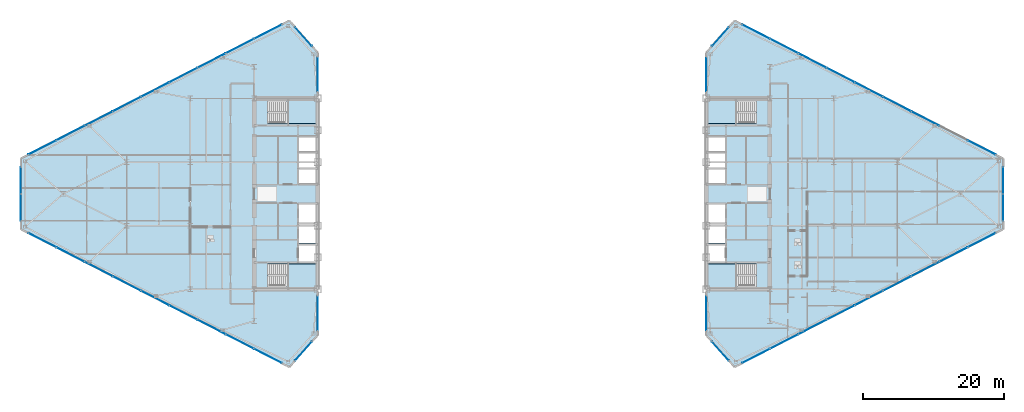
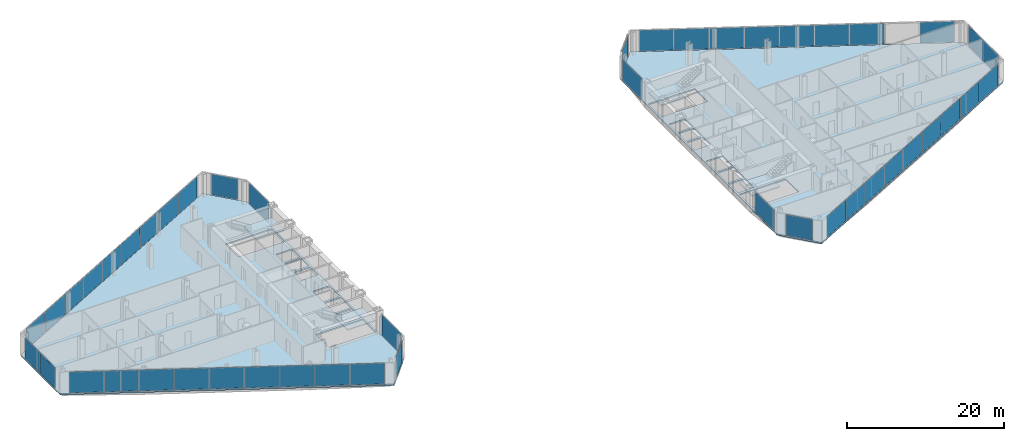
# One storey, part 14 of 23: 47 plates, 6 slabs, 18 elements without a shape of their own.
"""IFC4 building model written with IfcOpenShell, lengths in metres."""

from ifc_helpers import new_model, si_unit, direction, frame, origin, origin_2d, place, context, subcontext, project, spatial, polyline, rectangle, outline, extrude, source, transform, mapped, material, layer, layer_set, type_object, type_shapes, element, aggregate, save


model = new_model("IFC4")

# Units and contexts
model_context = context("Model", 3, precision=1e-05, world=origin(), true_north=direction((0.0, 1.0)))
body_context = subcontext(model_context, "Body", "Model", "MODEL_VIEW")
ifc_project = project(units=[si_unit("LENGTHUNIT", "METRE"), si_unit("AREAUNIT", "SQUARE_METRE"), si_unit("VOLUMEUNIT", "CUBIC_METRE"), si_unit("PLANEANGLEUNIT", "RADIAN"), si_unit("MASSUNIT", "GRAM", prefix="KILO")], contexts=[model_context])

# Site, building, storey
site_placement = place(None, origin())
site = spatial("IfcSite", under=ifc_project, at=site_placement, CompositionType="ELEMENT")
building_placement = place(site_placement, origin())
building = spatial("IfcBuilding", under=site, at=building_placement, Name="Seokmaru Belvedere", CompositionType="ELEMENT")
storey_placement = place(building_placement, frame((0.0, 0.0, 128.39990234375)))
storey = spatial("IfcBuildingStorey", under=building, at=storey_placement, Name="L34", CompositionType="ELEMENT", Elevation=128.39990234375)

# Stair, slab
ifc_material_1 = material(Name="Concrete C40 (40 MPa)", Category="concrete")
stair_type = type_object("IfcStairType", Name="Typical Tower Core Dog-Leg Stair 3600", PredefinedType="TWO_STRAIGHT_RUN_STAIR", material=ifc_material_1)
stair_1_placement = place(storey_placement, origin())
stair_1 = element("IfcStair", 1, at=stair_1_placement, inside=storey, type_object=stair_type, Name="L34 Special Escape Stair ST-W1", PredefinedType="TWO_STRAIGHT_RUN_STAIR")
ifc_layer_1 = layer(ifc_material_1, 0.199951171875)
ifc_layer_set_1 = layer_set([ifc_layer_1], Name="Concrete C40 (40 MPa)")
slab_type_1 = type_object("IfcSlabType", Name="Reinforced Concrete Stair Landing Slab 200", PredefinedType="LANDING", material=ifc_layer_set_1)
slab_1_placement = place(storey_placement, frame((0.0, 0.0, 1.60009765625)))
slab_1 = element("IfcSlab", 2, at=slab_1_placement, type_object=slab_type_1, Name="ST-W1 landing 1", PredefinedType="LANDING", context=body_context, shape_type="SweptSolid", body=[
    extrude(outline(polyline([(-31.8798828125, -13.239990234375), (-27.760009765625, -13.239990234375), (-27.760009765625, -9.949951171875), (-31.8798828125, -9.949951171875), (-31.8798828125, -13.239990234375)])), origin(), (0.0, 0.0, 1.0), 0.199951171875),
])
aggregate(stair_1, [slab_1])

stair_2_placement = place(storey_placement, origin())
stair_2 = element("IfcStair", 3, at=stair_2_placement, inside=storey, type_object=stair_type, Name="L34 Special Escape Stair ST-W2", PredefinedType="TWO_STRAIGHT_RUN_STAIR")
slab_2_placement = place(storey_placement, frame((0.0, 0.0, 1.60009765625)))
slab_2 = element("IfcSlab", 4, at=slab_2_placement, type_object=slab_type_1, Name="ST-W2 landing 1", PredefinedType="LANDING", context=body_context, shape_type="SweptSolid", body=[
    extrude(outline(polyline([(-31.8798828125, 9.949951171875), (-27.760009765625, 9.949951171875), (-27.760009765625, 13.239990234375), (-31.8798828125, 13.239990234375), (-31.8798828125, 9.949951171875)])), origin(), (0.0, 0.0, 1.0), 0.199951171875),
])
aggregate(stair_2, [slab_2])

stair_3_placement = place(storey_placement, origin())
stair_3 = element("IfcStair", 5, at=stair_3_placement, inside=storey, type_object=stair_type, Name="L34 Special Escape Stair ST-E1", PredefinedType="TWO_STRAIGHT_RUN_STAIR")
slab_3_placement = place(storey_placement, frame((0.0, 0.0, 1.60009765625)))
slab_3 = element("IfcSlab", 6, at=slab_3_placement, type_object=slab_type_1, Name="ST-E1 landing 1", PredefinedType="LANDING", context=body_context, shape_type="SweptSolid", body=[
    extrude(outline(polyline([(27.760009765625, -13.239990234375), (31.8798828125, -13.239990234375), (31.8798828125, -9.949951171875), (27.760009765625, -9.949951171875), (27.760009765625, -13.239990234375)])), origin(), (0.0, 0.0, 1.0), 0.199951171875),
])
aggregate(stair_3, [slab_3])

stair_4_placement = place(storey_placement, origin())
stair_4 = element("IfcStair", 7, at=stair_4_placement, inside=storey, type_object=stair_type, Name="L34 Special Escape Stair ST-E2", PredefinedType="TWO_STRAIGHT_RUN_STAIR")
slab_4_placement = place(storey_placement, frame((0.0, 0.0, 1.60009765625)))
slab_4 = element("IfcSlab", 8, at=slab_4_placement, type_object=slab_type_1, Name="ST-E2 landing 1", PredefinedType="LANDING", context=body_context, shape_type="SweptSolid", body=[
    extrude(outline(polyline([(27.760009765625, 9.949951171875), (31.8798828125, 9.949951171875), (31.8798828125, 13.239990234375), (27.760009765625, 13.239990234375), (27.760009765625, 9.949951171875)])), origin(), (0.0, 0.0, 1.0), 0.199951171875),
])
aggregate(stair_4, [slab_4])

# Slabs
ifc_layer_2 = layer(ifc_material_1, 0.219970703125)
ifc_layer_set_2 = layer_set([ifc_layer_2], Name="Concrete C40 (40 MPa)")
slab_type_2 = type_object("IfcSlabType", Name="Typical Tower Composite Floor Slab 220", PredefinedType="FLOOR", material=ifc_layer_set_2)
slab_5_placement = place(storey_placement, frame((0.0, 0.0, -0.219970703125)))
element("IfcSlab", 9, at=slab_5_placement, inside=storey, type_object=slab_type_2, Name="L34 West Leg Floor Slab", PredefinedType="FLOOR", context=body_context, shape_type="SweptSolid", body=[
    extrude(outline(polyline([(-27.5, -20.0), (-27.5, 20.0), (-31.5, 24.5), (-69.5, 5.0), (-69.5, -5.0), (-31.5, -24.5), (-27.5, -20.0)]), holes=[polyline([(-34.60009765625, -13.25), (-27.75, -13.25), (-27.75, -9.949951171875), (-34.60009765625, -9.949951171875), (-34.60009765625, -13.25)]), polyline([(-34.60009765625, 9.949951171875), (-27.75, 9.949951171875), (-27.75, 13.25), (-34.60009765625, 13.25), (-34.60009765625, 9.949951171875)]), polyline([(-30.14990234375, -9.550048828125), (-27.75, -9.550048828125), (-27.75, -7.25), (-30.14990234375, -7.25), (-30.14990234375, -9.550048828125)]), polyline([(-30.14990234375, -6.949951171875), (-27.75, -6.949951171875), (-27.75, -4.35009765625), (-30.14990234375, -4.35009765625), (-30.14990234375, -6.949951171875)]), polyline([(-30.14990234375, -4.050048828125), (-27.75, -4.050048828125), (-27.75, -1.449951171875), (-30.14990234375, -1.449951171875), (-30.14990234375, -4.050048828125)]), polyline([(-30.14990234375, 1.449951171875), (-27.75, 1.449951171875), (-27.75, 3.449951171875), (-30.14990234375, 3.449951171875), (-30.14990234375, 1.449951171875)]), polyline([(-30.14990234375, 3.75), (-27.75, 3.75), (-27.75, 5.75), (-30.14990234375, 5.75), (-30.14990234375, 3.75)]), polyline([(-30.14990234375, 6.050048828125), (-27.75, 6.050048828125), (-27.75, 8.050048828125), (-30.14990234375, 8.050048828125), (-30.14990234375, 6.050048828125)])]), origin(), (0.0, 0.0, 1.0), 0.219970703125),
])
slab_6_placement = place(storey_placement, frame((0.0, 0.0, -0.219970703125)))
element("IfcSlab", 10, at=slab_6_placement, inside=storey, type_object=slab_type_2, Name="L34 East Leg Floor Slab", PredefinedType="FLOOR", context=body_context, shape_type="SweptSolid", body=[
    extrude(outline(polyline([(31.5, -24.5), (69.5, -5.0), (69.5, 5.0), (31.5, 24.5), (27.5, 20.0), (27.5, -20.0), (31.5, -24.5)]), holes=[polyline([(27.75, -13.25), (34.60009765625, -13.25), (34.60009765625, -9.949951171875), (27.75, -9.949951171875), (27.75, -13.25)]), polyline([(27.75, 9.949951171875), (34.60009765625, 9.949951171875), (34.60009765625, 13.25), (27.75, 13.25), (27.75, 9.949951171875)]), polyline([(27.75, -9.550048828125), (30.14990234375, -9.550048828125), (30.14990234375, -7.25), (27.75, -7.25), (27.75, -9.550048828125)]), polyline([(27.75, -6.949951171875), (30.14990234375, -6.949951171875), (30.14990234375, -4.35009765625), (27.75, -4.35009765625), (27.75, -6.949951171875)]), polyline([(27.75, -4.050048828125), (30.14990234375, -4.050048828125), (30.14990234375, -1.449951171875), (27.75, -1.449951171875), (27.75, -4.050048828125)]), polyline([(27.75, 1.449951171875), (30.14990234375, 1.449951171875), (30.14990234375, 3.449951171875), (27.75, 3.449951171875), (27.75, 1.449951171875)]), polyline([(27.75, 3.75), (30.14990234375, 3.75), (30.14990234375, 5.75), (27.75, 5.75), (27.75, 3.75)]), polyline([(27.75, 6.050048828125), (30.14990234375, 6.050048828125), (30.14990234375, 8.050048828125), (27.75, 8.050048828125), (27.75, 6.050048828125)])]), origin(), (0.0, 0.0, 1.0), 0.219970703125),
])

# Curtain wall, plate
ifc_material_2 = material(Name="Bronze Triple Insulating Glass", Category="glass")
ifc_layer_3 = layer(ifc_material_2, 0.195068359375)
ifc_layer_set_3 = layer_set([ifc_layer_3], Name="Bronze Triple Insulating Glass")
curtain_wall_type = type_object("IfcCurtainWallType", Name="Sky-Lobby and Mid-Rise Curtain Wall System CW-4", PredefinedType="NOTDEFINED", material=ifc_layer_set_3)
curtain_wall_1_placement = place(storey_placement, origin())
curtain_wall_1 = element("IfcCurtainWall", 11, at=curtain_wall_1_placement, inside=storey, type_object=curtain_wall_type, Name="L34 Curtain Wall WSP_1", PredefinedType="NOTDEFINED")
ifc_layer_4 = layer(ifc_material_2, 0.035888671875)
ifc_layer_set_4 = layer_set([ifc_layer_4], Name="Bronze Triple Insulating Glass")
plate_type = type_object("IfcPlateType", Name="Bronze Triple Vision Glazing Panel 36", PredefinedType="CURTAIN_PANEL", material=ifc_layer_set_4)
shared_shape_1 = source(origin(), body_context, "Body", "SweptSolid", [
    extrude(rectangle(XDim=4.909912109375, YDim=0.035888671875, at=origin_2d()), origin(), (0.0, 0.0, 1.0), 3.25),
])
plate_1_placement = place(storey_placement, frame((-27.5, -16.905029296875, 0.065185546875), z_axis=(0.0, 0.0, 1.0), x_axis=(0.0, 1.0, 0.0)))
plate_1 = element("IfcPlate", 12, at=plate_1_placement, type_object=plate_type, Name="CW:L34:WSP_1 Glazing Panel 1-1", PredefinedType="CURTAIN_PANEL", context=body_context, shape_type="MappedRepresentation", body=[
    mapped(shared_shape_1, transform((0.0, 0.0, 0.0), scale=1.0)),
])
aggregate(curtain_wall_1, [plate_1])

curtain_wall_2_placement = place(storey_placement, origin())
curtain_wall_2 = element("IfcCurtainWall", 13, at=curtain_wall_2_placement, inside=storey, type_object=curtain_wall_type, Name="L34 Curtain Wall WSP_2", PredefinedType="NOTDEFINED")
plate_2_placement = place(storey_placement, frame((-27.5, 16.905029296875, 0.065185546875), z_axis=(0.0, 0.0, 1.0), x_axis=(0.0, 1.0, 0.0)))
plate_2 = element("IfcPlate", 14, at=plate_2_placement, type_object=plate_type, Name="CW:L34:WSP_2 Glazing Panel 1-1", PredefinedType="CURTAIN_PANEL", context=body_context, shape_type="MappedRepresentation", body=[
    mapped(shared_shape_1, transform((0.0, 0.0, 0.0), scale=1.0)),
])
aggregate(curtain_wall_2, [plate_2])

curtain_wall_3_placement = place(storey_placement, origin())
curtain_wall_3 = element("IfcCurtainWall", 15, at=curtain_wall_3_placement, inside=storey, type_object=curtain_wall_type, Name="L34 Curtain Wall ESP_1", PredefinedType="NOTDEFINED")
plate_3_placement = place(storey_placement, frame((27.5, -16.905029296875, 0.065185546875), z_axis=(0.0, 0.0, 1.0), x_axis=(0.0, -1.0, 0.0)))
plate_3 = element("IfcPlate", 16, at=plate_3_placement, type_object=plate_type, Name="CW:L34:ESP_1 Glazing Panel 1-1", PredefinedType="CURTAIN_PANEL", context=body_context, shape_type="MappedRepresentation", body=[
    mapped(shared_shape_1, transform((0.0, 0.0, 0.0), scale=1.0)),
])
aggregate(curtain_wall_3, [plate_3])

curtain_wall_4_placement = place(storey_placement, origin())
curtain_wall_4 = element("IfcCurtainWall", 17, at=curtain_wall_4_placement, inside=storey, type_object=curtain_wall_type, Name="L34 Curtain Wall ESP_2", PredefinedType="NOTDEFINED")
plate_4_placement = place(storey_placement, frame((27.5, 16.905029296875, 0.065185546875), z_axis=(0.0, 0.0, 1.0), x_axis=(0.0, -1.0, 0.0)))
plate_4 = element("IfcPlate", 18, at=plate_4_placement, type_object=plate_type, Name="CW:L34:ESP_2 Glazing Panel 1-1", PredefinedType="CURTAIN_PANEL", context=body_context, shape_type="MappedRepresentation", body=[
    mapped(shared_shape_1, transform((0.0, 0.0, 0.0), scale=1.0)),
])
aggregate(curtain_wall_4, [plate_4])

curtain_wall_5_placement = place(storey_placement, origin())
curtain_wall_5 = element("IfcCurtainWall", 19, at=curtain_wall_5_placement, inside=storey, type_object=curtain_wall_type, Name="L34 Curtain Wall WF2", PredefinedType="NOTDEFINED")
shared_shape_2 = source(origin(), body_context, "Body", "SweptSolid", [
    extrude(rectangle(XDim=3.580810546875, YDim=0.035888671875, at=origin_2d()), origin(), (0.0, 0.0, 1.0), 3.25),
])
plate_5_placement = place(storey_placement, frame((-29.5, 22.25, 0.065185546875), z_axis=(0.0, 0.0, 1.0), x_axis=(-0.664363325694, 0.747409774804, 0.0)))
plate_5 = element("IfcPlate", 20, at=plate_5_placement, type_object=plate_type, Name="CW:L34:WF2 Glazing Panel 1-1", PredefinedType="CURTAIN_PANEL", context=body_context, shape_type="MappedRepresentation", body=[
    mapped(shared_shape_2, transform((0.0, 0.0, 0.0), scale=1.0)),
])
aggregate(curtain_wall_5, [plate_5])

curtain_wall_6_placement = place(storey_placement, origin())
curtain_wall_6 = element("IfcCurtainWall", 21, at=curtain_wall_6_placement, inside=storey, type_object=curtain_wall_type, Name="L34 Curtain Wall WF6", PredefinedType="NOTDEFINED")
plate_6_placement = place(storey_placement, frame((-29.5, -22.25, 0.065185546875), z_axis=(0.0, 0.0, 1.0), x_axis=(0.664363325694, 0.747409774804, 0.0)))
plate_6 = element("IfcPlate", 22, at=plate_6_placement, type_object=plate_type, Name="CW:L34:WF6 Glazing Panel 1-1", PredefinedType="CURTAIN_PANEL", context=body_context, shape_type="MappedRepresentation", body=[
    mapped(shared_shape_2, transform((0.0, 0.0, 0.0), scale=1.0)),
])
aggregate(curtain_wall_6, [plate_6])

curtain_wall_7_placement = place(storey_placement, origin())
curtain_wall_7 = element("IfcCurtainWall", 23, at=curtain_wall_7_placement, inside=storey, type_object=curtain_wall_type, Name="L34 Curtain Wall EF4", PredefinedType="NOTDEFINED")
plate_7_placement = place(storey_placement, frame((29.5, 22.25, 0.065185546875), z_axis=(0.0, 0.0, 1.0), x_axis=(-0.664363325694, -0.747409774804, 0.0)))
plate_7 = element("IfcPlate", 24, at=plate_7_placement, type_object=plate_type, Name="CW:L34:EF4 Glazing Panel 1-1", PredefinedType="CURTAIN_PANEL", context=body_context, shape_type="MappedRepresentation", body=[
    mapped(shared_shape_2, transform((0.0, 0.0, 0.0), scale=1.0)),
])
aggregate(curtain_wall_7, [plate_7])

curtain_wall_8_placement = place(storey_placement, origin())
curtain_wall_8 = element("IfcCurtainWall", 25, at=curtain_wall_8_placement, inside=storey, type_object=curtain_wall_type, Name="L34 Curtain Wall EF6", PredefinedType="NOTDEFINED")
plate_8_placement = place(storey_placement, frame((29.5, -22.25, 0.065185546875), z_axis=(0.0, 0.0, 1.0), x_axis=(0.664363325694, -0.747409774804, 0.0)))
plate_8 = element("IfcPlate", 26, at=plate_8_placement, type_object=plate_type, Name="CW:L34:EF6 Glazing Panel 1-1", PredefinedType="CURTAIN_PANEL", context=body_context, shape_type="MappedRepresentation", body=[
    mapped(shared_shape_2, transform((0.0, 0.0, 0.0), scale=1.0)),
])
aggregate(curtain_wall_8, [plate_8])

# Curtain wall, plates
curtain_wall_9_placement = place(storey_placement, origin())
curtain_wall_9 = element("IfcCurtainWall", 27, at=curtain_wall_9_placement, inside=storey, type_object=curtain_wall_type, Name="L34 Curtain Wall WF3", PredefinedType="NOTDEFINED")
shared_shape_3 = source(origin(), body_context, "Body", "SweptSolid", [
    extrude(rectangle(XDim=4.38525390625, YDim=0.035888671875, at=origin_2d()), origin(), (0.0, 0.0, 1.0), 3.25),
])
plate_9_placement = place(storey_placement, frame((-34.5361328125, 22.94189453125, 0.065185546875), z_axis=(0.0, 0.0, 1.0), x_axis=(-0.889695432562, -0.456554528263, 0.0)))
plate_9 = element("IfcPlate", 28, at=plate_9_placement, type_object=plate_type, Name="CW:L34:WF3 Glazing Panel 1-1", PredefinedType="CURTAIN_PANEL", context=body_context, shape_type="MappedRepresentation", body=[
    mapped(shared_shape_3, transform((0.0, 0.0, 0.0), scale=1.0)),
])
plate_10_placement = place(storey_placement, frame((-66.4638671875, 6.55810546875, 0.065185546875), z_axis=(0.0, 0.0, 1.0), x_axis=(-0.889695432562, -0.456554528263, 0.0)))
plate_10 = element("IfcPlate", 29, at=plate_10_placement, type_object=plate_type, Name="CW:L34:WF3 Glazing Panel 9-1", PredefinedType="CURTAIN_PANEL", context=body_context, shape_type="MappedRepresentation", body=[
    mapped(shared_shape_3, transform((0.0, 0.0, 0.0), scale=1.0)),
])

curtain_wall_10_placement = place(storey_placement, origin())
curtain_wall_10 = element("IfcCurtainWall", 30, at=curtain_wall_10_placement, inside=storey, type_object=curtain_wall_type, Name="L34 Curtain Wall WF5", PredefinedType="NOTDEFINED")
plate_11_placement = place(storey_placement, frame((-66.4638671875, -6.55810546875, 0.065185546875), z_axis=(0.0, 0.0, 1.0), x_axis=(0.889695432562, -0.456554528263, 0.0)))
plate_11 = element("IfcPlate", 31, at=plate_11_placement, type_object=plate_type, Name="CW:L34:WF5 Glazing Panel 1-1", PredefinedType="CURTAIN_PANEL", context=body_context, shape_type="MappedRepresentation", body=[
    mapped(shared_shape_3, transform((0.0, 0.0, 0.0), scale=1.0)),
])
plate_12_placement = place(storey_placement, frame((-34.5361328125, -22.94189453125, 0.065185546875), z_axis=(0.0, 0.0, 1.0), x_axis=(0.889695432562, -0.456554528263, 0.0)))
plate_12 = element("IfcPlate", 32, at=plate_12_placement, type_object=plate_type, Name="CW:L34:WF5 Glazing Panel 9-1", PredefinedType="CURTAIN_PANEL", context=body_context, shape_type="MappedRepresentation", body=[
    mapped(shared_shape_3, transform((0.0, 0.0, 0.0), scale=1.0)),
])

curtain_wall_11_placement = place(storey_placement, origin())
curtain_wall_11 = element("IfcCurtainWall", 33, at=curtain_wall_11_placement, inside=storey, type_object=curtain_wall_type, Name="L34 Curtain Wall EF1", PredefinedType="NOTDEFINED")
plate_13_placement = place(storey_placement, frame((34.5361328125, -22.94189453125, 0.065185546875), z_axis=(0.0, 0.0, 1.0), x_axis=(0.889695432562, 0.456554528263, 0.0)))
plate_13 = element("IfcPlate", 34, at=plate_13_placement, type_object=plate_type, Name="CW:L34:EF1 Glazing Panel 1-1", PredefinedType="CURTAIN_PANEL", context=body_context, shape_type="MappedRepresentation", body=[
    mapped(shared_shape_3, transform((0.0, 0.0, 0.0), scale=1.0)),
])
plate_14_placement = place(storey_placement, frame((66.4638671875, -6.55810546875, 0.065185546875), z_axis=(0.0, 0.0, 1.0), x_axis=(0.889695432562, 0.456554528263, 0.0)))
plate_14 = element("IfcPlate", 35, at=plate_14_placement, type_object=plate_type, Name="CW:L34:EF1 Glazing Panel 9-1", PredefinedType="CURTAIN_PANEL", context=body_context, shape_type="MappedRepresentation", body=[
    mapped(shared_shape_3, transform((0.0, 0.0, 0.0), scale=1.0)),
])

curtain_wall_12_placement = place(storey_placement, origin())
curtain_wall_12 = element("IfcCurtainWall", 36, at=curtain_wall_12_placement, inside=storey, type_object=curtain_wall_type, Name="L34 Curtain Wall EF3", PredefinedType="NOTDEFINED")
plate_15_placement = place(storey_placement, frame((66.4638671875, 6.55810546875, 0.065185546875), z_axis=(0.0, 0.0, 1.0), x_axis=(-0.889695432562, 0.456554528263, 0.0)))
plate_15 = element("IfcPlate", 37, at=plate_15_placement, type_object=plate_type, Name="CW:L34:EF3 Glazing Panel 1-1", PredefinedType="CURTAIN_PANEL", context=body_context, shape_type="MappedRepresentation", body=[
    mapped(shared_shape_3, transform((0.0, 0.0, 0.0), scale=1.0)),
])
plate_16_placement = place(storey_placement, frame((34.5361328125, 22.94189453125, 0.065185546875), z_axis=(0.0, 0.0, 1.0), x_axis=(-0.889695432562, 0.456554528263, 0.0)))
plate_16 = element("IfcPlate", 38, at=plate_16_placement, type_object=plate_type, Name="CW:L34:EF3 Glazing Panel 9-1", PredefinedType="CURTAIN_PANEL", context=body_context, shape_type="MappedRepresentation", body=[
    mapped(shared_shape_3, transform((0.0, 0.0, 0.0), scale=1.0)),
])

# Plate
shared_shape_4 = source(origin(), body_context, "Body", "SweptSolid", [
    extrude(rectangle(XDim=4.420166015625, YDim=0.035888671875, at=origin_2d()), origin(), (0.0, 0.0, 1.0), 3.25),
])
plate_17_placement = place(storey_placement, frame((-38.515380859375, 20.89990234375, 0.065185546875), z_axis=(0.0, 0.0, 1.0), x_axis=(-0.889695432562, -0.456554528263, 0.0)))
plate_17 = element("IfcPlate", 39, at=plate_17_placement, type_object=plate_type, Name="CW:L34:WF3 Glazing Panel 2-1", PredefinedType="CURTAIN_PANEL", context=body_context, shape_type="MappedRepresentation", body=[
    mapped(shared_shape_4, transform((0.0, 0.0, 0.0), scale=1.0)),
])

plate_18_placement = place(storey_placement, frame((-42.51025390625, 18.85009765625, 0.065185546875), z_axis=(0.0, 0.0, 1.0), x_axis=(-0.889695432562, -0.456554528263, 0.0)))
plate_18 = element("IfcPlate", 40, at=plate_18_placement, type_object=plate_type, Name="CW:L34:WF3 Glazing Panel 3-1", PredefinedType="CURTAIN_PANEL", context=body_context, shape_type="MappedRepresentation", body=[
    mapped(shared_shape_4, transform((0.0, 0.0, 0.0), scale=1.0)),
])

plate_19_placement = place(storey_placement, frame((-46.505126953125, 16.800048828125, 0.065185546875), z_axis=(0.0, 0.0, 1.0), x_axis=(-0.889695432562, -0.456554528263, 0.0)))
plate_19 = element("IfcPlate", 41, at=plate_19_placement, type_object=plate_type, Name="CW:L34:WF3 Glazing Panel 4-1", PredefinedType="CURTAIN_PANEL", context=body_context, shape_type="MappedRepresentation", body=[
    mapped(shared_shape_4, transform((0.0, 0.0, 0.0), scale=1.0)),
])

plate_20_placement = place(storey_placement, frame((-50.5, 14.75, 0.065185546875), z_axis=(0.0, 0.0, 1.0), x_axis=(-0.889695432562, -0.456554528263, 0.0)))
plate_20 = element("IfcPlate", 42, at=plate_20_placement, type_object=plate_type, Name="CW:L34:WF3 Glazing Panel 5-1", PredefinedType="CURTAIN_PANEL", context=body_context, shape_type="MappedRepresentation", body=[
    mapped(shared_shape_4, transform((0.0, 0.0, 0.0), scale=1.0)),
])

plate_21_placement = place(storey_placement, frame((-54.494873046875, 12.699951171875, 0.065185546875), z_axis=(0.0, 0.0, 1.0), x_axis=(-0.889695432562, -0.456554528263, 0.0)))
plate_21 = element("IfcPlate", 43, at=plate_21_placement, type_object=plate_type, Name="CW:L34:WF3 Glazing Panel 6-1", PredefinedType="CURTAIN_PANEL", context=body_context, shape_type="MappedRepresentation", body=[
    mapped(shared_shape_4, transform((0.0, 0.0, 0.0), scale=1.0)),
])

plate_22_placement = place(storey_placement, frame((-58.48974609375, 10.64990234375, 0.065185546875), z_axis=(0.0, 0.0, 1.0), x_axis=(-0.889695432562, -0.456554528263, 0.0)))
plate_22 = element("IfcPlate", 44, at=plate_22_placement, type_object=plate_type, Name="CW:L34:WF3 Glazing Panel 7-1", PredefinedType="CURTAIN_PANEL", context=body_context, shape_type="MappedRepresentation", body=[
    mapped(shared_shape_4, transform((0.0, 0.0, 0.0), scale=1.0)),
])

plate_23_placement = place(storey_placement, frame((-62.484619140625, 8.60009765625, 0.065185546875), z_axis=(0.0, 0.0, 1.0), x_axis=(-0.889695432562, -0.456554528263, 0.0)))
plate_23 = element("IfcPlate", 45, at=plate_23_placement, type_object=plate_type, Name="CW:L34:WF3 Glazing Panel 8-1", PredefinedType="CURTAIN_PANEL", context=body_context, shape_type="MappedRepresentation", body=[
    mapped(shared_shape_4, transform((0.0, 0.0, 0.0), scale=1.0)),
])

aggregate(curtain_wall_9, [plate_9, plate_17, plate_18, plate_19, plate_20, plate_21, plate_22, plate_23, plate_10])

plate_24_placement = place(storey_placement, frame((-62.484619140625, -8.60009765625, 0.065185546875), z_axis=(0.0, 0.0, 1.0), x_axis=(0.889695432562, -0.456554528263, 0.0)))
plate_24 = element("IfcPlate", 46, at=plate_24_placement, type_object=plate_type, Name="CW:L34:WF5 Glazing Panel 2-1", PredefinedType="CURTAIN_PANEL", context=body_context, shape_type="MappedRepresentation", body=[
    mapped(shared_shape_4, transform((0.0, 0.0, 0.0), scale=1.0)),
])

plate_25_placement = place(storey_placement, frame((-58.48974609375, -10.64990234375, 0.065185546875), z_axis=(0.0, 0.0, 1.0), x_axis=(0.889695432562, -0.456554528263, 0.0)))
plate_25 = element("IfcPlate", 47, at=plate_25_placement, type_object=plate_type, Name="CW:L34:WF5 Glazing Panel 3-1", PredefinedType="CURTAIN_PANEL", context=body_context, shape_type="MappedRepresentation", body=[
    mapped(shared_shape_4, transform((0.0, 0.0, 0.0), scale=1.0)),
])

plate_26_placement = place(storey_placement, frame((-54.494873046875, -12.699951171875, 0.065185546875), z_axis=(0.0, 0.0, 1.0), x_axis=(0.889695432562, -0.456554528263, 0.0)))
plate_26 = element("IfcPlate", 48, at=plate_26_placement, type_object=plate_type, Name="CW:L34:WF5 Glazing Panel 4-1", PredefinedType="CURTAIN_PANEL", context=body_context, shape_type="MappedRepresentation", body=[
    mapped(shared_shape_4, transform((0.0, 0.0, 0.0), scale=1.0)),
])

plate_27_placement = place(storey_placement, frame((-50.5, -14.75, 0.065185546875), z_axis=(0.0, 0.0, 1.0), x_axis=(0.889695432562, -0.456554528263, 0.0)))
plate_27 = element("IfcPlate", 49, at=plate_27_placement, type_object=plate_type, Name="CW:L34:WF5 Glazing Panel 5-1", PredefinedType="CURTAIN_PANEL", context=body_context, shape_type="MappedRepresentation", body=[
    mapped(shared_shape_4, transform((0.0, 0.0, 0.0), scale=1.0)),
])

plate_28_placement = place(storey_placement, frame((-46.505126953125, -16.800048828125, 0.065185546875), z_axis=(0.0, 0.0, 1.0), x_axis=(0.889695432562, -0.456554528263, 0.0)))
plate_28 = element("IfcPlate", 50, at=plate_28_placement, type_object=plate_type, Name="CW:L34:WF5 Glazing Panel 6-1", PredefinedType="CURTAIN_PANEL", context=body_context, shape_type="MappedRepresentation", body=[
    mapped(shared_shape_4, transform((0.0, 0.0, 0.0), scale=1.0)),
])

plate_29_placement = place(storey_placement, frame((-42.51025390625, -18.85009765625, 0.065185546875), z_axis=(0.0, 0.0, 1.0), x_axis=(0.889695432562, -0.456554528263, 0.0)))
plate_29 = element("IfcPlate", 51, at=plate_29_placement, type_object=plate_type, Name="CW:L34:WF5 Glazing Panel 7-1", PredefinedType="CURTAIN_PANEL", context=body_context, shape_type="MappedRepresentation", body=[
    mapped(shared_shape_4, transform((0.0, 0.0, 0.0), scale=1.0)),
])

plate_30_placement = place(storey_placement, frame((-38.515380859375, -20.89990234375, 0.065185546875), z_axis=(0.0, 0.0, 1.0), x_axis=(0.889695432562, -0.456554528263, 0.0)))
plate_30 = element("IfcPlate", 52, at=plate_30_placement, type_object=plate_type, Name="CW:L34:WF5 Glazing Panel 8-1", PredefinedType="CURTAIN_PANEL", context=body_context, shape_type="MappedRepresentation", body=[
    mapped(shared_shape_4, transform((0.0, 0.0, 0.0), scale=1.0)),
])

aggregate(curtain_wall_10, [plate_11, plate_24, plate_25, plate_26, plate_27, plate_28, plate_29, plate_30, plate_12])

plate_31_placement = place(storey_placement, frame((38.515380859375, -20.89990234375, 0.065185546875), z_axis=(0.0, 0.0, 1.0), x_axis=(0.889695432562, 0.456554528263, 0.0)))
plate_31 = element("IfcPlate", 53, at=plate_31_placement, type_object=plate_type, Name="CW:L34:EF1 Glazing Panel 2-1", PredefinedType="CURTAIN_PANEL", context=body_context, shape_type="MappedRepresentation", body=[
    mapped(shared_shape_4, transform((0.0, 0.0, 0.0), scale=1.0)),
])

plate_32_placement = place(storey_placement, frame((42.51025390625, -18.85009765625, 0.065185546875), z_axis=(0.0, 0.0, 1.0), x_axis=(0.889695432562, 0.456554528263, 0.0)))
plate_32 = element("IfcPlate", 54, at=plate_32_placement, type_object=plate_type, Name="CW:L34:EF1 Glazing Panel 3-1", PredefinedType="CURTAIN_PANEL", context=body_context, shape_type="MappedRepresentation", body=[
    mapped(shared_shape_4, transform((0.0, 0.0, 0.0), scale=1.0)),
])

plate_33_placement = place(storey_placement, frame((46.505126953125, -16.800048828125, 0.065185546875), z_axis=(0.0, 0.0, 1.0), x_axis=(0.889695432562, 0.456554528263, 0.0)))
plate_33 = element("IfcPlate", 55, at=plate_33_placement, type_object=plate_type, Name="CW:L34:EF1 Glazing Panel 4-1", PredefinedType="CURTAIN_PANEL", context=body_context, shape_type="MappedRepresentation", body=[
    mapped(shared_shape_4, transform((0.0, 0.0, 0.0), scale=1.0)),
])

plate_34_placement = place(storey_placement, frame((50.5, -14.75, 0.065185546875), z_axis=(0.0, 0.0, 1.0), x_axis=(0.889695432562, 0.456554528263, 0.0)))
plate_34 = element("IfcPlate", 56, at=plate_34_placement, type_object=plate_type, Name="CW:L34:EF1 Glazing Panel 5-1", PredefinedType="CURTAIN_PANEL", context=body_context, shape_type="MappedRepresentation", body=[
    mapped(shared_shape_4, transform((0.0, 0.0, 0.0), scale=1.0)),
])

plate_35_placement = place(storey_placement, frame((54.494873046875, -12.699951171875, 0.065185546875), z_axis=(0.0, 0.0, 1.0), x_axis=(0.889695432562, 0.456554528263, 0.0)))
plate_35 = element("IfcPlate", 57, at=plate_35_placement, type_object=plate_type, Name="CW:L34:EF1 Glazing Panel 6-1", PredefinedType="CURTAIN_PANEL", context=body_context, shape_type="MappedRepresentation", body=[
    mapped(shared_shape_4, transform((0.0, 0.0, 0.0), scale=1.0)),
])

plate_36_placement = place(storey_placement, frame((58.48974609375, -10.64990234375, 0.065185546875), z_axis=(0.0, 0.0, 1.0), x_axis=(0.889695432562, 0.456554528263, 0.0)))
plate_36 = element("IfcPlate", 58, at=plate_36_placement, type_object=plate_type, Name="CW:L34:EF1 Glazing Panel 7-1", PredefinedType="CURTAIN_PANEL", context=body_context, shape_type="MappedRepresentation", body=[
    mapped(shared_shape_4, transform((0.0, 0.0, 0.0), scale=1.0)),
])

plate_37_placement = place(storey_placement, frame((62.484619140625, -8.60009765625, 0.065185546875), z_axis=(0.0, 0.0, 1.0), x_axis=(0.889695432562, 0.456554528263, 0.0)))
plate_37 = element("IfcPlate", 59, at=plate_37_placement, type_object=plate_type, Name="CW:L34:EF1 Glazing Panel 8-1", PredefinedType="CURTAIN_PANEL", context=body_context, shape_type="MappedRepresentation", body=[
    mapped(shared_shape_4, transform((0.0, 0.0, 0.0), scale=1.0)),
])

aggregate(curtain_wall_11, [plate_13, plate_31, plate_32, plate_33, plate_34, plate_35, plate_36, plate_37, plate_14])

plate_38_placement = place(storey_placement, frame((58.48974609375, 10.64990234375, 0.065185546875), z_axis=(0.0, 0.0, 1.0), x_axis=(-0.889695432562, 0.456554528263, 0.0)))
plate_38 = element("IfcPlate", 60, at=plate_38_placement, type_object=plate_type, Name="CW:L34:EF3 Glazing Panel 3-1", PredefinedType="CURTAIN_PANEL", context=body_context, shape_type="MappedRepresentation", body=[
    mapped(shared_shape_4, transform((0.0, 0.0, 0.0), scale=1.0)),
])

plate_39_placement = place(storey_placement, frame((54.494873046875, 12.699951171875, 0.065185546875), z_axis=(0.0, 0.0, 1.0), x_axis=(-0.889695432562, 0.456554528263, 0.0)))
plate_39 = element("IfcPlate", 61, at=plate_39_placement, type_object=plate_type, Name="CW:L34:EF3 Glazing Panel 4-1", PredefinedType="CURTAIN_PANEL", context=body_context, shape_type="MappedRepresentation", body=[
    mapped(shared_shape_4, transform((0.0, 0.0, 0.0), scale=1.0)),
])

plate_40_placement = place(storey_placement, frame((50.5, 14.75, 0.065185546875), z_axis=(0.0, 0.0, 1.0), x_axis=(-0.889695432562, 0.456554528263, 0.0)))
plate_40 = element("IfcPlate", 62, at=plate_40_placement, type_object=plate_type, Name="CW:L34:EF3 Glazing Panel 5-1", PredefinedType="CURTAIN_PANEL", context=body_context, shape_type="MappedRepresentation", body=[
    mapped(shared_shape_4, transform((0.0, 0.0, 0.0), scale=1.0)),
])

plate_41_placement = place(storey_placement, frame((46.505126953125, 16.800048828125, 0.065185546875), z_axis=(0.0, 0.0, 1.0), x_axis=(-0.889695432562, 0.456554528263, 0.0)))
plate_41 = element("IfcPlate", 63, at=plate_41_placement, type_object=plate_type, Name="CW:L34:EF3 Glazing Panel 6-1", PredefinedType="CURTAIN_PANEL", context=body_context, shape_type="MappedRepresentation", body=[
    mapped(shared_shape_4, transform((0.0, 0.0, 0.0), scale=1.0)),
])

plate_42_placement = place(storey_placement, frame((42.51025390625, 18.85009765625, 0.065185546875), z_axis=(0.0, 0.0, 1.0), x_axis=(-0.889695432562, 0.456554528263, 0.0)))
plate_42 = element("IfcPlate", 64, at=plate_42_placement, type_object=plate_type, Name="CW:L34:EF3 Glazing Panel 7-1", PredefinedType="CURTAIN_PANEL", context=body_context, shape_type="MappedRepresentation", body=[
    mapped(shared_shape_4, transform((0.0, 0.0, 0.0), scale=1.0)),
])

plate_43_placement = place(storey_placement, frame((38.515380859375, 20.89990234375, 0.065185546875), z_axis=(0.0, 0.0, 1.0), x_axis=(-0.889695432562, 0.456554528263, 0.0)))
plate_43 = element("IfcPlate", 65, at=plate_43_placement, type_object=plate_type, Name="CW:L34:EF3 Glazing Panel 8-1", PredefinedType="CURTAIN_PANEL", context=body_context, shape_type="MappedRepresentation", body=[
    mapped(shared_shape_4, transform((0.0, 0.0, 0.0), scale=1.0)),
])

aggregate(curtain_wall_12, [plate_15, plate_38, plate_39, plate_40, plate_41, plate_42, plate_43, plate_16])

# Curtain wall, plates
curtain_wall_13_placement = place(storey_placement, origin())
curtain_wall_13 = element("IfcCurtainWall", 66, at=curtain_wall_13_placement, inside=storey, type_object=curtain_wall_type, Name="L34 Curtain Wall WF4", PredefinedType="NOTDEFINED")
shared_shape_5 = source(origin(), body_context, "Body", "SweptSolid", [
    extrude(rectangle(XDim=3.7451171875, YDim=0.035888671875, at=origin_2d()), origin(), (0.0, 0.0, 1.0), 3.25),
])
type_shapes(plate_type, [shared_shape_1, shared_shape_2, shared_shape_3, shared_shape_4, shared_shape_5])
plate_44_placement = place(storey_placement, frame((-69.5, 1.907470703125, 0.065185546875), z_axis=(0.0, 0.0, 1.0), x_axis=(0.0, -1.0, 0.0)))
plate_44 = element("IfcPlate", 67, at=plate_44_placement, type_object=plate_type, Name="CW:L34:WF4 Glazing Panel 1-1", PredefinedType="CURTAIN_PANEL", context=body_context, shape_type="MappedRepresentation", body=[
    mapped(shared_shape_5, transform((0.0, 0.0, 0.0), scale=1.0)),
])
plate_45_placement = place(storey_placement, frame((-69.5, -1.907470703125, 0.065185546875), z_axis=(0.0, 0.0, 1.0), x_axis=(0.0, -1.0, 0.0)))
plate_45 = element("IfcPlate", 68, at=plate_45_placement, type_object=plate_type, Name="CW:L34:WF4 Glazing Panel 2-1", PredefinedType="CURTAIN_PANEL", context=body_context, shape_type="MappedRepresentation", body=[
    mapped(shared_shape_5, transform((0.0, 0.0, 0.0), scale=1.0)),
])
aggregate(curtain_wall_13, [plate_44, plate_45])

curtain_wall_14_placement = place(storey_placement, origin())
curtain_wall_14 = element("IfcCurtainWall", 69, at=curtain_wall_14_placement, inside=storey, type_object=curtain_wall_type, Name="L34 Curtain Wall EF2", PredefinedType="NOTDEFINED")
plate_46_placement = place(storey_placement, frame((69.5, -1.907470703125, 0.065185546875), z_axis=(0.0, 0.0, 1.0), x_axis=(0.0, 1.0, 0.0)))
plate_46 = element("IfcPlate", 70, at=plate_46_placement, type_object=plate_type, Name="CW:L34:EF2 Glazing Panel 1-1", PredefinedType="CURTAIN_PANEL", context=body_context, shape_type="MappedRepresentation", body=[
    mapped(shared_shape_5, transform((0.0, 0.0, 0.0), scale=1.0)),
])
plate_47_placement = place(storey_placement, frame((69.5, 1.907470703125, 0.065185546875), z_axis=(0.0, 0.0, 1.0), x_axis=(0.0, 1.0, 0.0)))
plate_47 = element("IfcPlate", 71, at=plate_47_placement, type_object=plate_type, Name="CW:L34:EF2 Glazing Panel 2-1", PredefinedType="CURTAIN_PANEL", context=body_context, shape_type="MappedRepresentation", body=[
    mapped(shared_shape_5, transform((0.0, 0.0, 0.0), scale=1.0)),
])
aggregate(curtain_wall_14, [plate_46, plate_47])

save(model, "model.ifc")
